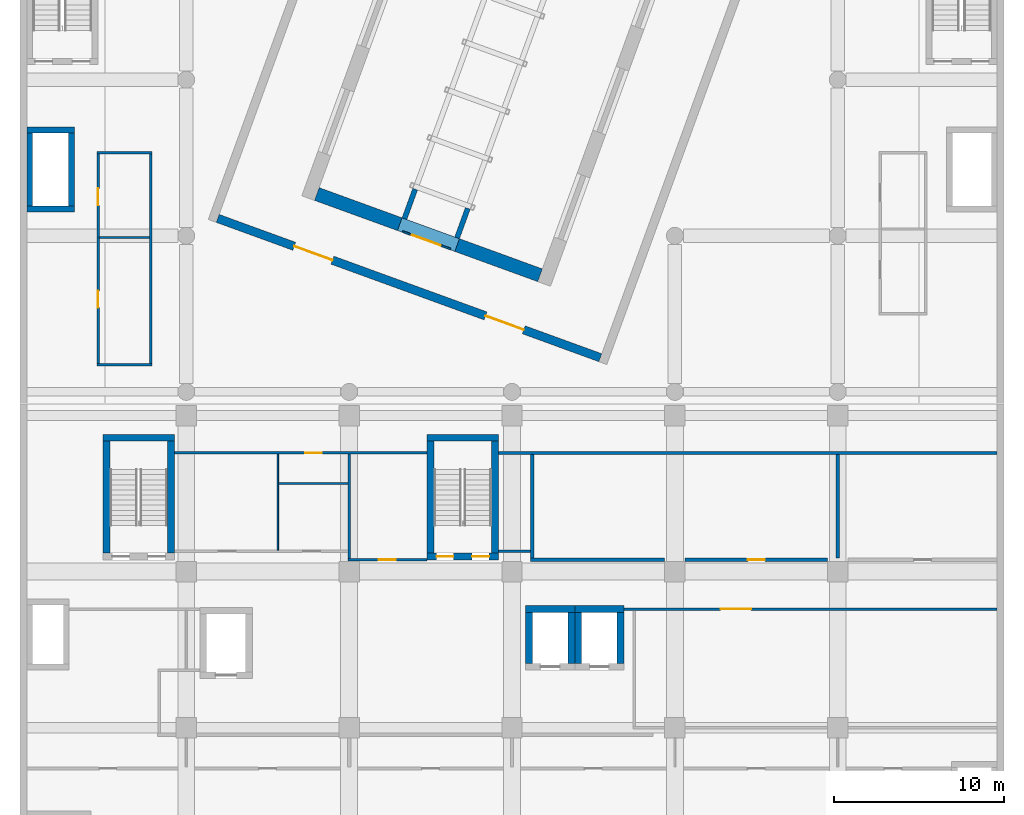
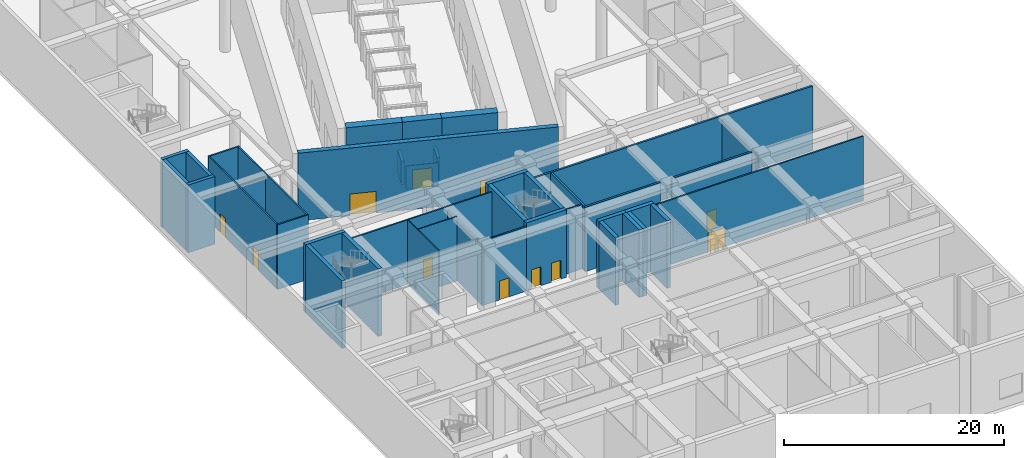
# One storey, part 16 of 36: 41 walls, 11 doors, 11 openings.
"""IFC4 building model written with IfcOpenShell, lengths in metres."""

from ifc_helpers import new_model, si_unit, direction, frame, frame_2d, origin, place, context, subcontext, project, spatial, rectangle, extrude, material, layer, layer_set, type_object, element, fill, save


model = new_model("IFC4")

# Units and contexts
model_context = context("Model", 3, precision=1e-05, world=origin(), true_north=direction((0.0, 1.0)))
body_context = subcontext(model_context, "Body", "Model", "MODEL_VIEW")
ifc_project = project(units=[si_unit("LENGTHUNIT", "METRE"), si_unit("AREAUNIT", "SQUARE_METRE"), si_unit("VOLUMEUNIT", "CUBIC_METRE"), si_unit("PLANEANGLEUNIT", "RADIAN"), si_unit("MASSUNIT", "GRAM", prefix="KILO")], contexts=[model_context])

# Site, building, storey
site_placement = place(None, origin())
site = spatial("IfcSite", under=ifc_project, at=site_placement, CompositionType="ELEMENT")
building_placement = place(site_placement, origin())
building = spatial("IfcBuilding", under=site, at=building_placement, Name="Nzadi Deep Aquarium and Research Tower", CompositionType="ELEMENT")
storey_placement = place(building_placement, frame((0.0, 0.0, 14.199951171875)))
storey = spatial("IfcBuildingStorey", under=building, at=storey_placement, Name="L02", CompositionType="ELEMENT", Elevation=14.199951171875)

# Wall
ifc_material_1 = material(Name="Blockwork masonry", Category="masonry")
ifc_layer_1 = layer(ifc_material_1, 0.10009765625)
ifc_layer_set_1 = layer_set([ifc_layer_1], Name="Blockwork masonry")
wall_type_1 = type_object("IfcWallType", Name="Partition 100 EI 30", PredefinedType="PARTITIONING", material=ifc_layer_set_1)
wall_1_placement = place(storey_placement, frame((4.47509765625, 56.5, 0.0), z_axis=(0.0, 0.0, 1.0), x_axis=(1.0, 0.0, 0.0)))
element("IfcWall", 1, at=wall_1_placement, inside=storey, type_object=wall_type_1, Name="W-Z2-L02-P007", PredefinedType="PARTITIONING", context=body_context, shape_type="SweptSolid", body=[
    extrude(rectangle(XDim=2.949951171875, YDim=0.10009765625, at=frame_2d((1.47509765625, 0.0))), origin(), (0.0, 0.0, 1.0), 6.75),
])

# Wall, opening, door
ifc_material_2 = material(Name="Blockwork masonry", Category="masonry")
ifc_layer_2 = layer(ifc_material_2, 0.10009765625)
ifc_layer_set_2 = layer_set([ifc_layer_2], Name="Blockwork masonry")
wall_type_2 = type_object("IfcWallType", Name="Partition 100 EI 30, 2.60 m high", PredefinedType="PARTITIONING", material=ifc_layer_set_2)
wall_2_placement = place(storey_placement, frame((22.345703125, 56.8525390625, 0.0), z_axis=(0.0, 0.0, 1.0), x_axis=(0.939686455819, -0.342037080957, 0.0)))
wall_2 = element("IfcWall", 2, at=wall_2_placement, inside=storey, type_object=wall_type_2, Name="W-Z2-L02-TUNS", PredefinedType="PARTITIONING", context=body_context, shape_type="SweptSolid", body=[
    extrude(rectangle(XDim=3.0, YDim=0.10009765625, at=frame_2d((1.5, 0.0))), origin(), (0.0, 0.0, 1.0), 2.60009765625),
])
opening_1_placement = place(wall_2_placement, frame((0.60009765625, 0.0, 0.0)))
opening_1 = element("IfcOpeningElement", 3, at=opening_1_placement, cuts=wall_2, Name="Opening D032010", PredefinedType="OPENING", context=body_context, shape_type="SweptSolid", body=[
    extrude(rectangle(XDim=1.800048828125, YDim=2.10009765625, at=frame_2d((0.89990234375, 1.050048828125))), frame((0.0, 0.06005859375, 0.0), z_axis=(0.0, -1.0, 0.0), x_axis=(1.0, 0.0, 0.0)), (0.0, 0.0, 1.0), 0.1201171875),
])
ifc_material_3 = material(Name="Fire-rated steel door", Category="steel")
ifc_layer_3 = layer(ifc_material_3, 0.050048828125)
ifc_layer_set_3 = layer_set([ifc_layer_3], Name="Fire-rated steel door")
door_type_1 = type_object("IfcDoorType", Name="Door 1800x2100 EI 30 double", OperationType="DOUBLE_DOOR_SINGLE_SWING", PredefinedType="DOOR", material=ifc_layer_set_3)
door_1_placement = place(opening_1_placement, origin())
door_1 = element("IfcDoor", 4, at=door_1_placement, inside=storey, type_object=door_type_1, Name="D032010", OperationType="DOUBLE_DOOR_SINGLE_SWING", OverallHeight=2.10009765625, OverallWidth=1.800048828125, PredefinedType="DOOR", context=body_context, shape_type="SweptSolid", body=[
    extrude(rectangle(XDim=1.800048828125, YDim=2.10009765625, at=frame_2d((0.89990234375, 1.050048828125))), frame((0.0, 0.02490234375, 0.0), z_axis=(0.0, -1.0, 0.0), x_axis=(1.0, 0.0, 0.0)), (0.0, 0.0, 1.0), 0.050048828125),
])
fill(opening_1, door_1)

# Walls
ifc_material_4 = material(Name="Blockwork masonry", Category="masonry")
ifc_layer_4 = layer(ifc_material_4, 0.10009765625)
ifc_layer_set_4 = layer_set([ifc_layer_4], Name="Blockwork masonry")
wall_type_3 = type_object("IfcWallType", Name="Partition 100 EI 30, 7.15 m high", PredefinedType="PARTITIONING", material=ifc_layer_set_4)
wall_3_placement = place(storey_placement, frame((15.0, 38.074951171875, 0.0), z_axis=(0.0, 0.0, 1.0), x_axis=(0.0, 1.0, 0.0)))
element("IfcWall", 5, at=wall_3_placement, inside=storey, type_object=wall_type_3, Name="W-Z1-L02-P020", PredefinedType="PARTITIONING", context=body_context, shape_type="SweptSolid", body=[
    extrude(rectangle(XDim=5.650146484375, YDim=0.10009765625, at=frame_2d((2.8251953125, 0.0))), origin(), (0.0, 0.0, 1.0), 7.150146484375),
])
wall_4_placement = place(storey_placement, frame((15.050048828125, 42.0, 0.0), z_axis=(0.0, 0.0, 1.0), x_axis=(1.0, 0.0, 0.0)))
element("IfcWall", 6, at=wall_4_placement, inside=storey, type_object=wall_type_3, Name="W-Z1-L02-P021", PredefinedType="PARTITIONING", context=body_context, shape_type="SweptSolid", body=[
    extrude(rectangle(XDim=4.074951171875, YDim=0.10009765625, at=frame_2d((2.03759765625, 0.0))), origin(), (0.0, 0.0, 1.0), 7.150146484375),
])

# Wall, opening, door
ifc_material_5 = material(Name="Blockwork masonry", Category="masonry")
ifc_layer_5 = layer(ifc_material_5, 0.14990234375)
ifc_layer_set_5 = layer_set([ifc_layer_5], Name="Blockwork masonry")
wall_type_4 = type_object("IfcWallType", Name="Partition 150 EI 60", PredefinedType="PARTITIONING", material=ifc_layer_set_5)
wall_5_placement = place(storey_placement, frame((8.906005859375, 43.800048828125, 0.0), z_axis=(0.0, 0.0, 1.0), x_axis=(1.0, 0.0, 0.0)))
wall_5 = element("IfcWall", 7, at=wall_5_placement, inside=storey, type_object=wall_type_4, Name="W-Z1-L02-P010", PredefinedType="PARTITIONING", context=body_context, shape_type="SweptSolid", body=[
    extrude(rectangle(XDim=14.887939453125, YDim=0.14990234375, at=frame_2d((7.44384765625, 0.0))), origin(), (0.0, 0.0, 1.0), 7.150146484375),
])
opening_2_placement = place(wall_5_placement, frame((7.694091796875, 0.0, 0.0)))
opening_2 = element("IfcOpeningElement", 8, at=opening_2_placement, cuts=wall_5, Name="Opening D031021", PredefinedType="OPENING", context=body_context, shape_type="SweptSolid", body=[
    extrude(rectangle(XDim=1.0, YDim=2.10009765625, at=frame_2d((0.5, 1.050048828125))), frame((0.0, 0.0849609375, 0.0), z_axis=(0.0, -1.0, 0.0), x_axis=(1.0, 0.0, 0.0)), (0.0, 0.0, 1.0), 0.169921875),
])
ifc_material_6 = material(Name="Fire-rated steel door", Category="steel")
ifc_layer_6 = layer(ifc_material_6, 0.050048828125)
ifc_layer_set_6 = layer_set([ifc_layer_6], Name="Fire-rated steel door")
door_type_2 = type_object("IfcDoorType", Name="Door 1000x2100 EI 60 single", OperationType="SINGLE_SWING_LEFT", PredefinedType="DOOR", material=ifc_layer_set_6)
door_2_placement = place(opening_2_placement, origin())
door_2 = element("IfcDoor", 9, at=door_2_placement, inside=storey, type_object=door_type_2, Name="D031021", OperationType="SINGLE_SWING_LEFT", OverallHeight=2.10009765625, OverallWidth=1.0, PredefinedType="DOOR", context=body_context, shape_type="SweptSolid", body=[
    extrude(rectangle(XDim=1.0, YDim=2.10009765625, at=frame_2d((0.5, 1.050048828125))), frame((0.0, 0.02490234375, 0.0), z_axis=(0.0, -1.0, 0.0), x_axis=(1.0, 0.0, 0.0)), (0.0, 0.0, 1.0), 0.050048828125),
])
fill(opening_2, door_2)

wall_6_placement = place(storey_placement, frame((19.125, 37.5, 0.0), z_axis=(0.0, 0.0, 1.0), x_axis=(1.0, 0.0, 0.0)))
wall_6 = element("IfcWall", 10, at=wall_6_placement, inside=storey, type_object=wall_type_4, Name="W-Z1-L02-P026", PredefinedType="PARTITIONING", context=body_context, shape_type="SweptSolid", body=[
    extrude(rectangle(XDim=4.6689453125, YDim=0.14990234375, at=frame_2d((2.33447265625, 0.0))), origin(), (0.0, 0.0, 1.0), 7.150146484375),
])
opening_3_placement = place(wall_6_placement, frame((1.833984375, 0.0, 0.0)))
opening_3 = element("IfcOpeningElement", 11, at=opening_3_placement, cuts=wall_6, Name="Opening D031018", PredefinedType="OPENING", context=body_context, shape_type="SweptSolid", body=[
    extrude(rectangle(XDim=1.0, YDim=2.10009765625, at=frame_2d((0.5, 1.050048828125))), frame((0.0, 0.0849609375, 0.0), z_axis=(0.0, -1.0, 0.0), x_axis=(1.0, 0.0, 0.0)), (0.0, 0.0, 1.0), 0.169921875),
])
door_3_placement = place(opening_3_placement, origin())
door_3 = element("IfcDoor", 12, at=door_3_placement, inside=storey, type_object=door_type_2, Name="D031018", OperationType="SINGLE_SWING_LEFT", OverallHeight=2.10009765625, OverallWidth=1.0, PredefinedType="DOOR", context=body_context, shape_type="SweptSolid", body=[
    extrude(rectangle(XDim=1.0, YDim=2.10009765625, at=frame_2d((0.5, 1.050048828125))), frame((0.0, 0.02490234375, 0.0), z_axis=(0.0, -1.0, 0.0), x_axis=(1.0, 0.0, 0.0)), (0.0, 0.0, 1.0), 0.050048828125),
])
fill(opening_3, door_3)

# Wall
wall_7_placement = place(storey_placement, frame((28.006103515625, 38.0, 0.0), z_axis=(0.0, 0.0, 1.0), x_axis=(1.0, 0.0, 0.0)))
element("IfcWall", 13, at=wall_7_placement, inside=storey, type_object=wall_type_4, Name="W-Z1-L02-P033", PredefinedType="PARTITIONING", context=body_context, shape_type="SweptSolid", body=[
    extrude(rectangle(XDim=1.893798828125, YDim=0.14990234375, at=frame_2d((0.94677734375, 0.0))), origin(), (0.0, 0.0, 1.0), 7.150146484375),
])

# Wall, opening, door
wall_8_placement = place(storey_placement, frame((35.406005859375, 34.60009765625, 0.0), z_axis=(0.0, 0.0, 1.0), x_axis=(1.0, 0.0, 0.0)))
wall_8 = element("IfcWall", 14, at=wall_8_placement, inside=storey, type_object=wall_type_4, Name="W-Z1-L02-P045", PredefinedType="PARTITIONING", context=body_context, shape_type="SweptSolid", body=[
    extrude(rectangle(XDim=21.988037109375, YDim=0.14990234375, at=frame_2d((10.994140625, 0.0))), origin(), (0.0, 0.0, 1.0), 7.150146484375),
])
opening_4_placement = place(wall_8_placement, frame((5.694091796875, 0.0, 0.0)))
opening_4 = element("IfcOpeningElement", 15, at=opening_4_placement, cuts=wall_8, Name="Opening D031022", PredefinedType="OPENING", context=body_context, shape_type="SweptSolid", body=[
    extrude(rectangle(XDim=1.800048828125, YDim=2.10009765625, at=frame_2d((0.89990234375, 1.050048828125))), frame((0.0, 0.0849609375, 0.0), z_axis=(0.0, -1.0, 0.0), x_axis=(1.0, 0.0, 0.0)), (0.0, 0.0, 1.0), 0.169921875),
])
ifc_material_7 = material(Name="Fire-rated steel door", Category="steel")
ifc_layer_7 = layer(ifc_material_7, 0.050048828125)
ifc_layer_set_7 = layer_set([ifc_layer_7], Name="Fire-rated steel door")
door_type_3 = type_object("IfcDoorType", Name="Door 1800x2100 EI 60 double", OperationType="DOUBLE_DOOR_SINGLE_SWING", PredefinedType="DOOR", material=ifc_layer_set_7)
door_4_placement = place(opening_4_placement, origin())
door_4 = element("IfcDoor", 16, at=door_4_placement, inside=storey, type_object=door_type_3, Name="D031022", OperationType="DOUBLE_DOOR_SINGLE_SWING", OverallHeight=2.10009765625, OverallWidth=1.800048828125, PredefinedType="DOOR", context=body_context, shape_type="SweptSolid", body=[
    extrude(rectangle(XDim=1.800048828125, YDim=2.10009765625, at=frame_2d((0.89990234375, 1.050048828125))), frame((0.0, 0.02490234375, 0.0), z_axis=(0.0, -1.0, 0.0), x_axis=(1.0, 0.0, 0.0)), (0.0, 0.0, 1.0), 0.050048828125),
])
fill(opening_4, door_4)

# Wall
wall_9_placement = place(storey_placement, frame((4.324951171875, 49.0, 0.0), z_axis=(0.0, 0.0, 1.0), x_axis=(1.0, 0.0, 0.0)))
element("IfcWall", 17, at=wall_9_placement, inside=storey, type_object=wall_type_4, Name="W-Z2-L02-P001", PredefinedType="PARTITIONING", context=body_context, shape_type="SweptSolid", body=[
    extrude(rectangle(XDim=3.25, YDim=0.14990234375, at=frame_2d((1.625, 0.0))), origin(), (0.0, 0.0, 1.0), 7.150146484375),
])

# Wall, openings, doors
wall_10_placement = place(storey_placement, frame((4.39990234375, 49.074951171875, 0.0), z_axis=(0.0, 0.0, 1.0), x_axis=(0.0, 1.0, 0.0)))
wall_10 = element("IfcWall", 18, at=wall_10_placement, inside=storey, type_object=wall_type_4, Name="W-Z2-L02-P002", PredefinedType="PARTITIONING", context=body_context, shape_type="SweptSolid", body=[
    extrude(rectangle(XDim=12.35009765625, YDim=0.14990234375, at=frame_2d((6.175048828125, 0.0))), origin(), (0.0, 0.0, 1.0), 7.150146484375),
])
opening_5_placement = place(wall_10_placement, frame((3.284912109375, 0.0, 0.0)))
opening_5 = element("IfcOpeningElement", 19, at=opening_5_placement, cuts=wall_10, Name="Opening D032001", PredefinedType="OPENING", context=body_context, shape_type="SweptSolid", body=[
    extrude(rectangle(XDim=1.0, YDim=2.10009765625, at=frame_2d((0.5, 1.050048828125))), frame((0.0, 0.0849609375, 0.0), z_axis=(0.0, -1.0, 0.0), x_axis=(1.0, 0.0, 0.0)), (0.0, 0.0, 1.0), 0.169921875),
])
opening_6_placement = place(wall_10_placement, frame((9.31494140625, 0.0, 0.0)))
opening_6 = element("IfcOpeningElement", 20, at=opening_6_placement, cuts=wall_10, Name="Opening D032002", PredefinedType="OPENING", context=body_context, shape_type="SweptSolid", body=[
    extrude(rectangle(XDim=1.0, YDim=2.10009765625, at=frame_2d((0.5, 1.050048828125))), frame((0.0, 0.0849609375, 0.0), z_axis=(0.0, -1.0, 0.0), x_axis=(1.0, 0.0, 0.0)), (0.0, 0.0, 1.0), 0.169921875),
])
door_5_placement = place(opening_5_placement, origin())
door_5 = element("IfcDoor", 21, at=door_5_placement, inside=storey, type_object=door_type_2, Name="D032001", OperationType="SINGLE_SWING_RIGHT", OverallHeight=2.10009765625, OverallWidth=1.0, PredefinedType="DOOR", context=body_context, shape_type="SweptSolid", body=[
    extrude(rectangle(XDim=1.0, YDim=2.10009765625, at=frame_2d((0.5, 1.050048828125))), frame((0.0, 0.02490234375, 0.0), z_axis=(0.0, -1.0, 0.0), x_axis=(1.0, 0.0, 0.0)), (0.0, 0.0, 1.0), 0.050048828125),
])
fill(opening_5, door_5)
door_6_placement = place(opening_6_placement, origin())
door_6 = element("IfcDoor", 22, at=door_6_placement, inside=storey, type_object=door_type_2, Name="D032002", OperationType="SINGLE_SWING_LEFT", OverallHeight=2.10009765625, OverallWidth=1.0, PredefinedType="DOOR", context=body_context, shape_type="SweptSolid", body=[
    extrude(rectangle(XDim=1.0, YDim=2.10009765625, at=frame_2d((0.5, 1.050048828125))), frame((0.0, 0.02490234375, 0.0), z_axis=(0.0, -1.0, 0.0), x_axis=(1.0, 0.0, 0.0)), (0.0, 0.0, 1.0), 0.050048828125),
])
fill(opening_6, door_6)

# Walls
wall_11_placement = place(storey_placement, frame((4.324951171875, 61.5, 0.0), z_axis=(0.0, 0.0, 1.0), x_axis=(1.0, 0.0, 0.0)))
element("IfcWall", 23, at=wall_11_placement, inside=storey, type_object=wall_type_4, Name="W-Z2-L02-P003", PredefinedType="PARTITIONING", context=body_context, shape_type="SweptSolid", body=[
    extrude(rectangle(XDim=3.25, YDim=0.14990234375, at=frame_2d((1.625, 0.0))), origin(), (0.0, 0.0, 1.0), 7.150146484375),
])
wall_12_placement = place(storey_placement, frame((7.5, 49.074951171875, 0.0), z_axis=(0.0, 0.0, 1.0), x_axis=(0.0, 1.0, 0.0)))
element("IfcWall", 24, at=wall_12_placement, inside=storey, type_object=wall_type_4, Name="W-Z2-L02-P010", PredefinedType="PARTITIONING", context=body_context, shape_type="SweptSolid", body=[
    extrude(rectangle(XDim=12.35009765625, YDim=0.14990234375, at=frame_2d((6.175048828125, 0.0))), origin(), (0.0, 0.0, 1.0), 7.150146484375),
])
ifc_material_8 = material(Name="Blockwork masonry", Category="masonry")
ifc_layer_8 = layer(ifc_material_8, 0.14990234375)
ifc_layer_set_8 = layer_set([ifc_layer_8], Name="Blockwork masonry")
wall_type_5 = type_object("IfcWallType", Name="Partition 150 EI 60, 6.75 m high", PredefinedType="PARTITIONING", material=ifc_layer_set_8)
wall_13_placement = place(storey_placement, frame((19.199951171875, 37.574951171875, 0.0), z_axis=(0.0, 0.0, 1.0), x_axis=(0.0, 1.0, 0.0)))
element("IfcWall", 25, at=wall_13_placement, inside=storey, type_object=wall_type_5, Name="W-Z1-L02-P027", PredefinedType="PARTITIONING", context=body_context, shape_type="SweptSolid", body=[
    extrude(rectangle(XDim=6.150146484375, YDim=0.14990234375, at=frame_2d((3.0751953125, 0.0))), origin(), (0.0, 0.0, 1.0), 6.75),
])
ifc_material_9 = material(Name="Blockwork masonry", Category="masonry")
ifc_layer_9 = layer(ifc_material_9, 0.199951171875)
ifc_layer_set_9 = layer_set([ifc_layer_9], Name="Blockwork masonry")
wall_type_6 = type_object("IfcWallType", Name="Partition 200 EI 120", PredefinedType="PARTITIONING", material=ifc_layer_set_9)
wall_14_placement = place(storey_placement, frame((28.006103515625, 43.800048828125, 0.0), z_axis=(0.0, 0.0, 1.0), x_axis=(1.0, 0.0, 0.0)))
element("IfcWall", 26, at=wall_14_placement, inside=storey, type_object=wall_type_6, Name="W-Z1-L02-P034", PredefinedType="PARTITIONING", context=body_context, shape_type="SweptSolid", body=[
    extrude(rectangle(XDim=29.387939453125, YDim=0.199951171875, at=frame_2d((14.69384765625, 0.0))), origin(), (0.0, 0.0, 1.0), 7.150146484375),
])
wall_15_placement = place(storey_placement, frame((29.89990234375, 37.5, 0.0), z_axis=(0.0, 0.0, 1.0), x_axis=(1.0, 0.0, 0.0)))
element("IfcWall", 27, at=wall_15_placement, inside=storey, type_object=wall_type_6, Name="W-Z1-L02-P042", PredefinedType="PARTITIONING", context=body_context, shape_type="SweptSolid", body=[
    extrude(rectangle(XDim=7.900146484375, YDim=0.199951171875, at=frame_2d((3.9501953125, 0.0))), origin(), (0.0, 0.0, 1.0), 7.150146484375),
])
wall_16_placement = place(storey_placement, frame((30.0, 37.60009765625, 0.0), z_axis=(0.0, 0.0, 1.0), x_axis=(0.0, 1.0, 0.0)))
element("IfcWall", 28, at=wall_16_placement, inside=storey, type_object=wall_type_6, Name="W-Z1-L02-P043", PredefinedType="PARTITIONING", context=body_context, shape_type="SweptSolid", body=[
    extrude(rectangle(XDim=6.099853515625, YDim=0.199951171875, at=frame_2d((3.0498046875, 0.0))), origin(), (0.0, 0.0, 1.0), 7.150146484375),
])

# Wall, opening, door
wall_17_placement = place(storey_placement, frame((39.0, 37.5, 0.0), z_axis=(0.0, 0.0, 1.0), x_axis=(1.0, 0.0, 0.0)))
wall_17 = element("IfcWall", 29, at=wall_17_placement, inside=storey, type_object=wall_type_6, Name="W-Z1-L02-P053", PredefinedType="PARTITIONING", context=body_context, shape_type="SweptSolid", body=[
    extrude(rectangle(XDim=8.39990234375, YDim=0.199951171875, at=frame_2d((4.199951171875, 0.0))), origin(), (0.0, 0.0, 1.0), 7.150146484375),
])
opening_7_placement = place(wall_17_placement, frame((3.699951171875, 0.0, 0.0)))
opening_7 = element("IfcOpeningElement", 30, at=opening_7_placement, cuts=wall_17, Name="Opening D031016", PredefinedType="OPENING", context=body_context, shape_type="SweptSolid", body=[
    extrude(rectangle(XDim=1.0, YDim=2.10009765625, at=frame_2d((0.5, 1.050048828125))), frame((0.0, 0.110107421875, 0.0), z_axis=(0.0, -1.0, 0.0), x_axis=(1.0, 0.0, 0.0)), (0.0, 0.0, 1.0), 0.22021484375),
])
ifc_material_10 = material(Name="Fire-rated steel door", Category="steel")
ifc_layer_10 = layer(ifc_material_10, 0.050048828125)
ifc_layer_set_10 = layer_set([ifc_layer_10], Name="Fire-rated steel door")
door_type_4 = type_object("IfcDoorType", Name="Door 1000x2100 EI 120 single", OperationType="SINGLE_SWING_LEFT", PredefinedType="DOOR", material=ifc_layer_set_10)
door_7_placement = place(opening_7_placement, origin())
door_7 = element("IfcDoor", 31, at=door_7_placement, inside=storey, type_object=door_type_4, Name="D031016", OperationType="SINGLE_SWING_LEFT", OverallHeight=2.10009765625, OverallWidth=1.0, PredefinedType="DOOR", context=body_context, shape_type="SweptSolid", body=[
    extrude(rectangle(XDim=1.0, YDim=2.10009765625, at=frame_2d((0.5, 1.050048828125))), frame((0.0, 0.02490234375, 0.0), z_axis=(0.0, -1.0, 0.0), x_axis=(1.0, 0.0, 0.0)), (0.0, 0.0, 1.0), 0.050048828125),
])
fill(opening_7, door_7)

# Walls
ifc_material_11 = material(Name="Blockwork masonry", Category="masonry")
ifc_layer_11 = layer(ifc_material_11, 0.199951171875)
ifc_layer_set_11 = layer_set([ifc_layer_11], Name="Blockwork masonry")
wall_type_7 = type_object("IfcWallType", Name="Partition 200 EI 120, 6.75 m high", PredefinedType="PARTITIONING", material=ifc_layer_set_11)
wall_18_placement = place(storey_placement, frame((48.0, 37.60009765625, 0.0), z_axis=(0.0, 0.0, 1.0), x_axis=(0.0, 1.0, 0.0)))
element("IfcWall", 32, at=wall_18_placement, inside=storey, type_object=wall_type_7, Name="W-Z1-L02-P056", PredefinedType="PARTITIONING", context=body_context, shape_type="SweptSolid", body=[
    extrude(rectangle(XDim=6.099853515625, YDim=0.199951171875, at=frame_2d((3.0498046875, 0.0))), origin(), (0.0, 0.0, 1.0), 6.75),
])
ifc_material_12 = material(Name="Concrete C35/45", Category="concrete")
ifc_layer_12 = layer(ifc_material_12, 0.35009765625)
ifc_layer_set_12 = layer_set([ifc_layer_12], Name="Concrete C35/45")
wall_type_8 = type_object("IfcWallType", Name="RC core wall 350, 7.50 to 7.70 m high", PredefinedType="SHEAR", material=ifc_layer_set_12)
for number, where, z_axis, x_axis, name in (
    (33, (0.199951171875, 58.175048828125, 0.0), (0.0, 0.0, 1.0), (1.0, 0.0, 0.0), "W-CORE-RS-Z2-W-L02-S"),
    (34, (0.199951171875, 62.824951171875, 0.0), (0.0, 0.0, 1.0), (1.0, 0.0, 0.0), "W-CORE-RS-Z2-W-L02-N"),
):
    element("IfcWall", number, at=place(storey_placement, frame(where, z_axis=z_axis, x_axis=x_axis)), inside=storey, type_object=wall_type_8, Name=name, PredefinedType="SHEAR", context=body_context, shape_type="SweptSolid", body=[
        extrude(rectangle(XDim=2.800048828125, YDim=0.35009765625, at=frame_2d((1.39990234375, 0.0))), origin(), (0.0, 0.0, 1.0), 7.5),
    ])
for number, where, z_axis, x_axis, name in (
    (35, (0.375, 58.35009765625, 0.0), (0.0, 0.0, 1.0), (0.0, 1.0, 0.0), "W-CORE-RS-Z2-W-L02-W"),
    (36, (2.824951171875, 58.35009765625, 0.0), (0.0, 0.0, 1.0), (0.0, 1.0, 0.0), "W-CORE-RS-Z2-W-L02-E"),
):
    element("IfcWall", number, at=place(storey_placement, frame(where, z_axis=z_axis, x_axis=x_axis)), inside=storey, type_object=wall_type_8, Name=name, PredefinedType="SHEAR", context=body_context, shape_type="SweptSolid", body=[
        extrude(rectangle(XDim=4.2998046875, YDim=0.35009765625, at=frame_2d((2.14990234375, 0.0))), origin(), (0.0, 0.0, 1.0), 7.5),
    ])
ifc_material_13 = material(Name="Concrete C35/45", Category="concrete")
ifc_layer_13 = layer(ifc_material_13, 0.39990234375)
ifc_layer_set_13 = layer_set([ifc_layer_13], Name="Concrete C35/45")
wall_type_9 = type_object("IfcWallType", Name="RC core wall 400, 7.50 to 7.70 m high", PredefinedType="SHEAR", material=ifc_layer_set_13)
wall_19_placement = place(storey_placement, frame((4.699951171875, 44.699951171875, 0.0), z_axis=(0.0, 0.0, 1.0), x_axis=(1.0, 0.0, 0.0)))
element("IfcWall", 37, at=wall_19_placement, inside=storey, type_object=wall_type_9, Name="W-CORE-ST-Z1-NW-L02-N", PredefinedType="SHEAR", context=body_context, shape_type="SweptSolid", body=[
    extrude(rectangle(XDim=4.199951171875, YDim=0.39990234375, at=frame_2d((2.10009765625, 0.0))), origin(), (0.0, 0.0, 1.0), 7.5),
])
for number, where, z_axis, x_axis, name in (
    (38, (4.89990234375, 37.89990234375, 0.0), (0.0, 0.0, 1.0), (0.0, 1.0, 0.0), "W-CORE-ST-Z1-NW-L02-W"),
    (39, (8.699951171875, 37.89990234375, 0.0), (0.0, 0.0, 1.0), (0.0, 1.0, 0.0), "W-CORE-ST-Z1-NW-L02-E"),
):
    element("IfcWall", number, at=place(storey_placement, frame(where, z_axis=z_axis, x_axis=x_axis)), inside=storey, type_object=wall_type_9, Name=name, PredefinedType="SHEAR", context=body_context, shape_type="SweptSolid", body=[
        extrude(rectangle(XDim=6.60009765625, YDim=0.39990234375, at=frame_2d((3.300048828125, 0.0))), origin(), (0.0, 0.0, 1.0), 7.5),
    ])

# Wall, openings, doors
wall_20_placement = place(storey_placement, frame((23.800048828125, 37.699951171875, 0.0), z_axis=(0.0, 0.0, 1.0), x_axis=(1.0, 0.0, 0.0)))
wall_20 = element("IfcWall", 40, at=wall_20_placement, inside=storey, type_object=wall_type_9, Name="W-CORE-ST-Z1-NE-L02-S", PredefinedType="SHEAR", context=body_context, shape_type="SweptSolid", body=[
    extrude(rectangle(XDim=4.199951171875, YDim=0.39990234375, at=frame_2d((2.10009765625, 0.0))), origin(), (0.0, 0.0, 1.0), 7.5),
])
opening_8_placement = place(wall_20_placement, frame((0.550048828125, 0.0, 0.0)))
opening_8 = element("IfcOpeningElement", 41, at=opening_8_placement, cuts=wall_20, Name="Opening DS-Z1-NE-L02A", PredefinedType="OPENING", context=body_context, shape_type="SweptSolid", body=[
    extrude(rectangle(XDim=1.0, YDim=2.10009765625, at=frame_2d((0.5, 1.050048828125))), frame((0.0, 0.2099609375, 0.0), z_axis=(0.0, -1.0, 0.0), x_axis=(1.0, 0.0, 0.0)), (0.0, 0.0, 1.0), 0.419921875),
])
opening_9_placement = place(wall_20_placement, frame((2.64990234375, 0.0, 0.0)))
opening_9 = element("IfcOpeningElement", 42, at=opening_9_placement, cuts=wall_20, Name="Opening DS-Z1-NE-L02B", PredefinedType="OPENING", context=body_context, shape_type="SweptSolid", body=[
    extrude(rectangle(XDim=1.0, YDim=2.10009765625, at=frame_2d((0.5, 1.050048828125))), frame((0.0, 0.2099609375, 0.0), z_axis=(0.0, -1.0, 0.0), x_axis=(1.0, 0.0, 0.0)), (0.0, 0.0, 1.0), 0.419921875),
])
ifc_material_14 = material(Name="Steel, powder coated", Category="steel")
door_type_5 = type_object("IfcDoorType", Name="STAIR DOOR 1000x2100 EI 60", OperationType="SINGLE_SWING_LEFT", PredefinedType="DOOR", material=ifc_material_14)
door_8_placement = place(opening_8_placement, origin())
door_8 = element("IfcDoor", 43, at=door_8_placement, inside=storey, type_object=door_type_5, Name="Stair door ST-Z1-NE L02 A", OperationType="SINGLE_SWING_RIGHT", OverallHeight=2.10009765625, OverallWidth=1.0, PredefinedType="DOOR", context=body_context, shape_type="SweptSolid", body=[
    extrude(rectangle(XDim=1.0, YDim=2.10009765625, at=frame_2d((0.5, 1.050048828125))), frame((0.0, 0.02490234375, 0.0), z_axis=(0.0, -1.0, 0.0), x_axis=(1.0, 0.0, 0.0)), (0.0, 0.0, 1.0), 0.050048828125),
])
fill(opening_8, door_8)
door_9_placement = place(opening_9_placement, origin())
door_9 = element("IfcDoor", 44, at=door_9_placement, inside=storey, type_object=door_type_5, Name="Stair door ST-Z1-NE L02 B", OperationType="SINGLE_SWING_LEFT", OverallHeight=2.10009765625, OverallWidth=1.0, PredefinedType="DOOR", context=body_context, shape_type="SweptSolid", body=[
    extrude(rectangle(XDim=1.0, YDim=2.10009765625, at=frame_2d((0.5, 1.050048828125))), frame((0.0, 0.02490234375, 0.0), z_axis=(0.0, -1.0, 0.0), x_axis=(1.0, 0.0, 0.0)), (0.0, 0.0, 1.0), 0.050048828125),
])
fill(opening_9, door_9)

# Walls
wall_21_placement = place(storey_placement, frame((23.800048828125, 44.699951171875, 0.0), z_axis=(0.0, 0.0, 1.0), x_axis=(1.0, 0.0, 0.0)))
element("IfcWall", 45, at=wall_21_placement, inside=storey, type_object=wall_type_9, Name="W-CORE-ST-Z1-NE-L02-N", PredefinedType="SHEAR", context=body_context, shape_type="SweptSolid", body=[
    extrude(rectangle(XDim=4.199951171875, YDim=0.39990234375, at=frame_2d((2.10009765625, 0.0))), origin(), (0.0, 0.0, 1.0), 7.5),
])
for number, where, z_axis, x_axis, name in (
    (46, (24.0, 37.89990234375, 0.0), (0.0, 0.0, 1.0), (0.0, 1.0, 0.0), "W-CORE-ST-Z1-NE-L02-W"),
    (47, (27.800048828125, 37.89990234375, 0.0), (0.0, 0.0, 1.0), (0.0, 1.0, 0.0), "W-CORE-ST-Z1-NE-L02-E"),
):
    element("IfcWall", number, at=place(storey_placement, frame(where, z_axis=z_axis, x_axis=x_axis)), inside=storey, type_object=wall_type_9, Name=name, PredefinedType="SHEAR", context=body_context, shape_type="SweptSolid", body=[
        extrude(rectangle(XDim=6.60009765625, YDim=0.39990234375, at=frame_2d((3.300048828125, 0.0))), origin(), (0.0, 0.0, 1.0), 7.5),
    ])
wall_22_placement = place(storey_placement, frame((29.60009765625, 34.60009765625, 0.0), z_axis=(0.0, 0.0, 1.0), x_axis=(1.0, 0.0, 0.0)))
element("IfcWall", 48, at=wall_22_placement, inside=storey, type_object=wall_type_9, Name="W-CORE-TL3-L02-N", PredefinedType="SHEAR", context=body_context, shape_type="SweptSolid", body=[
    extrude(rectangle(XDim=2.89990234375, YDim=0.39990234375, at=frame_2d((1.449951171875, 0.0))), origin(), (0.0, 0.0, 1.0), 7.5),
])
for number, where, z_axis, x_axis, name in (
    (49, (29.800048828125, 31.39990234375, 0.0), (0.0, 0.0, 1.0), (0.0, 1.0, 0.0), "W-CORE-TL3-L02-W"),
    (50, (32.300048828125, 31.39990234375, 0.0), (0.0, 0.0, 1.0), (0.0, 1.0, 0.0), "W-CORE-TL3-L02-E"),
):
    element("IfcWall", number, at=place(storey_placement, frame(where, z_axis=z_axis, x_axis=x_axis)), inside=storey, type_object=wall_type_9, Name=name, PredefinedType="SHEAR", context=body_context, shape_type="SweptSolid", body=[
        extrude(rectangle(XDim=3.0, YDim=0.39990234375, at=frame_2d((1.5, 0.0))), origin(), (0.0, 0.0, 1.0), 7.5),
    ])
wall_23_placement = place(storey_placement, frame((32.5, 34.60009765625, 0.0), z_axis=(0.0, 0.0, 1.0), x_axis=(1.0, 0.0, 0.0)))
element("IfcWall", 51, at=wall_23_placement, inside=storey, type_object=wall_type_9, Name="W-CORE-TL4-L02-N", PredefinedType="SHEAR", context=body_context, shape_type="SweptSolid", body=[
    extrude(rectangle(XDim=2.89990234375, YDim=0.39990234375, at=frame_2d((1.449951171875, 0.0))), origin(), (0.0, 0.0, 1.0), 7.5),
])
for number, where, z_axis, x_axis, name in (
    (52, (32.699951171875, 31.39990234375, 0.0), (0.0, 0.0, 1.0), (0.0, 1.0, 0.0), "W-CORE-TL4-L02-W"),
    (53, (35.199951171875, 31.39990234375, 0.0), (0.0, 0.0, 1.0), (0.0, 1.0, 0.0), "W-CORE-TL4-L02-E"),
):
    element("IfcWall", number, at=place(storey_placement, frame(where, z_axis=z_axis, x_axis=x_axis)), inside=storey, type_object=wall_type_9, Name=name, PredefinedType="SHEAR", context=body_context, shape_type="SweptSolid", body=[
        extrude(rectangle(XDim=3.0, YDim=0.39990234375, at=frame_2d((1.5, 0.0))), origin(), (0.0, 0.0, 1.0), 7.5),
    ])

# Wall, openings, doors
ifc_material_15 = material(Name="Concrete C35/45", Category="concrete")
ifc_layer_14 = layer(ifc_material_15, 0.5)
ifc_layer_set_14 = layer_set([ifc_layer_14], Name="Concrete C35/45")
wall_type_10 = type_object("IfcWallType", Name="RC envelope wall 500, 7.50 to 8.80 m high", PredefinedType="SHEAR", material=ifc_layer_set_14)
wall_24_placement = place(storey_placement, frame((11.452880859375, 57.624755859375, 0.0), z_axis=(0.0, 0.0, 1.0), x_axis=(0.939691804709, -0.342022385471, 0.0)))
wall_24 = element("IfcWall", 54, at=wall_24_placement, inside=storey, type_object=wall_type_10, Name="W-PR-L02-S", PredefinedType="SHEAR", context=body_context, shape_type="SweptSolid", body=[
    extrude(rectangle(XDim=24.0, YDim=0.5, at=frame_2d((12.0, 0.0))), origin(), (0.0, 0.0, 1.0), 7.5),
])
opening_10_placement = place(wall_24_placement, frame((4.800048828125, 0.0, 0.0)))
opening_10 = element("IfcOpeningElement", 55, at=opening_10_placement, cuts=wall_24, Name="Opening D032012", PredefinedType="OPENING", context=body_context, shape_type="SweptSolid", body=[
    extrude(rectangle(XDim=2.39990234375, YDim=2.39990234375, at=frame_2d((1.199951171875, 1.199951171875))), frame((0.0, 0.260009765625, 0.0), z_axis=(0.0, -1.0, 0.0), x_axis=(1.0, 0.0, 0.0)), (0.0, 0.0, 1.0), 0.52001953125),
])
opening_11_placement = place(wall_24_placement, frame((16.800048828125, 0.0, 0.0)))
opening_11 = element("IfcOpeningElement", 56, at=opening_11_placement, cuts=wall_24, Name="Opening D032014", PredefinedType="OPENING", context=body_context, shape_type="SweptSolid", body=[
    extrude(rectangle(XDim=2.39990234375, YDim=2.39990234375, at=frame_2d((1.199951171875, 1.199951171875))), frame((0.0, 0.260009765625, 0.0), z_axis=(0.0, -1.0, 0.0), x_axis=(1.0, 0.0, 0.0)), (0.0, 0.0, 1.0), 0.52001953125),
])
ifc_material_16 = material(Name="Fire-rated steel door", Category="steel")
ifc_layer_15 = layer(ifc_material_16, 0.050048828125)
ifc_layer_set_15 = layer_set([ifc_layer_15], Name="Fire-rated steel door")
door_type_6 = type_object("IfcDoorType", Name="Door 2400x2400 EI 120 double", OperationType="DOUBLE_DOOR_SINGLE_SWING", PredefinedType="DOOR", material=ifc_layer_set_15)
door_10_placement = place(opening_10_placement, origin())
door_10 = element("IfcDoor", 57, at=door_10_placement, inside=storey, type_object=door_type_6, Name="D032012", OperationType="DOUBLE_DOOR_SINGLE_SWING", OverallHeight=2.39990234375, OverallWidth=2.39990234375, PredefinedType="DOOR", context=body_context, shape_type="SweptSolid", body=[
    extrude(rectangle(XDim=2.39990234375, YDim=2.39990234375, at=frame_2d((1.199951171875, 1.199951171875))), frame((0.0, 0.02490234375, 0.0), z_axis=(0.0, -1.0, 0.0), x_axis=(1.0, 0.0, 0.0)), (0.0, 0.0, 1.0), 0.050048828125),
])
fill(opening_10, door_10)
door_11_placement = place(opening_11_placement, origin())
door_11 = element("IfcDoor", 58, at=door_11_placement, inside=storey, type_object=door_type_6, Name="D032014", OperationType="DOUBLE_DOOR_SINGLE_SWING", OverallHeight=2.39990234375, OverallWidth=2.39990234375, PredefinedType="DOOR", context=body_context, shape_type="SweptSolid", body=[
    extrude(rectangle(XDim=2.39990234375, YDim=2.39990234375, at=frame_2d((1.199951171875, 1.199951171875))), frame((0.0, 0.02490234375, 0.0), z_axis=(0.0, -1.0, 0.0), x_axis=(1.0, 0.0, 0.0)), (0.0, 0.0, 1.0), 0.050048828125),
])
fill(opening_11, door_11)

# Walls
ifc_material_17 = material(Name="Concrete C40/50", Category="concrete")
ifc_layer_16 = layer(ifc_material_17, 0.300048828125)
ifc_layer_set_16 = layer_set([ifc_layer_16], Name="Concrete C40/50")
wall_type_11 = type_object("IfcWallType", Name="RC sleeve wall 300 C40/50", PredefinedType="SHEAR", material=ifc_layer_set_16)
for number, where, z_axis, x_axis, name in (
    (59, (23.093994140625, 59.34716796875, 0.0), (0.0, 0.0, 1.0), (-0.342039714731, -0.939685497146, 0.0), "W-TUN-SW"),
    (60, (26.195068359375, 58.218505859375, 0.0), (0.0, 0.0, 1.0), (-0.342039714731, -0.939685497146, 0.0), "W-TUN-SE"),
):
    element("IfcWall", number, at=place(storey_placement, frame(where, z_axis=z_axis, x_axis=x_axis)), inside=storey, type_object=wall_type_11, Name=name, PredefinedType="SHEAR", context=body_context, shape_type="SweptSolid", body=[
        extrude(rectangle(XDim=1.85009765625, YDim=0.300048828125, at=frame_2d((0.925048828125, 0.0))), origin(), (0.0, 0.0, 1.0), 2.60009765625),
    ])
ifc_material_18 = material(Name="Concrete C40/50", Category="concrete")
ifc_layer_17 = layer(ifc_material_18, 0.800048828125)
ifc_layer_set_17 = layer_set([ifc_layer_17], Name="Concrete C40/50")
wall_type_12 = type_object("IfcWallType", Name="RC tank wall 800 C40/50, 4.60 m high, base +2.90 m", PredefinedType="SOLIDWALL", material=ifc_layer_set_17)
wall_25_placement = place(storey_placement, frame((22.183349609375, 57.2841796875, 2.900146484375), z_axis=(0.0, 0.0, 1.0), x_axis=(0.93968249756, -0.342047955379, 0.0)))
element("IfcWall", 61, at=wall_25_placement, inside=storey, type_object=wall_type_12, Name="W-TK-L02-S-LINTEL", PredefinedType="SOLIDWALL", context=body_context, shape_type="SweptSolid", body=[
    extrude(rectangle(XDim=3.60009765625, YDim=0.800048828125, at=frame_2d((1.800048828125, 0.0))), origin(), (0.0, 0.0, 1.0), 4.599853515625),
])
ifc_material_19 = material(Name="Concrete C40/50", Category="concrete")
ifc_layer_18 = layer(ifc_material_19, 0.800048828125)
ifc_layer_set_18 = layer_set([ifc_layer_18], Name="Concrete C40/50")
wall_type_13 = type_object("IfcWallType", Name="RC tank wall 800 C40/50, 7.50 m high", PredefinedType="SOLIDWALL", material=ifc_layer_set_18)
wall_26_placement = place(storey_placement, frame((17.297119140625, 59.0625, 0.0), z_axis=(0.0, 0.0, 1.0), x_axis=(0.939700169674, -0.341999402214, 0.0)))
element("IfcWall", 62, at=wall_26_placement, inside=storey, type_object=wall_type_13, Name="W-TK-L02-S-L", PredefinedType="SOLIDWALL", context=body_context, shape_type="SweptSolid", body=[
    extrude(rectangle(XDim=5.19970703125, YDim=0.800048828125, at=frame_2d((2.599853515625, 0.0))), origin(), (0.0, 0.0, 1.0), 7.5),
])
wall_27_placement = place(storey_placement, frame((25.56640625, 56.052734375, 0.0), z_axis=(0.0, 0.0, 1.0), x_axis=(0.939685079668, -0.342040861666, 0.0)))
element("IfcWall", 63, at=wall_27_placement, inside=storey, type_object=wall_type_13, Name="W-TK-L02-S-R", PredefinedType="SOLIDWALL", context=body_context, shape_type="SweptSolid", body=[
    extrude(rectangle(XDim=5.199951171875, YDim=0.800048828125, at=frame_2d((2.60009765625, 0.0))), origin(), (0.0, 0.0, 1.0), 7.5),
])

save(model, "model.ifc")
